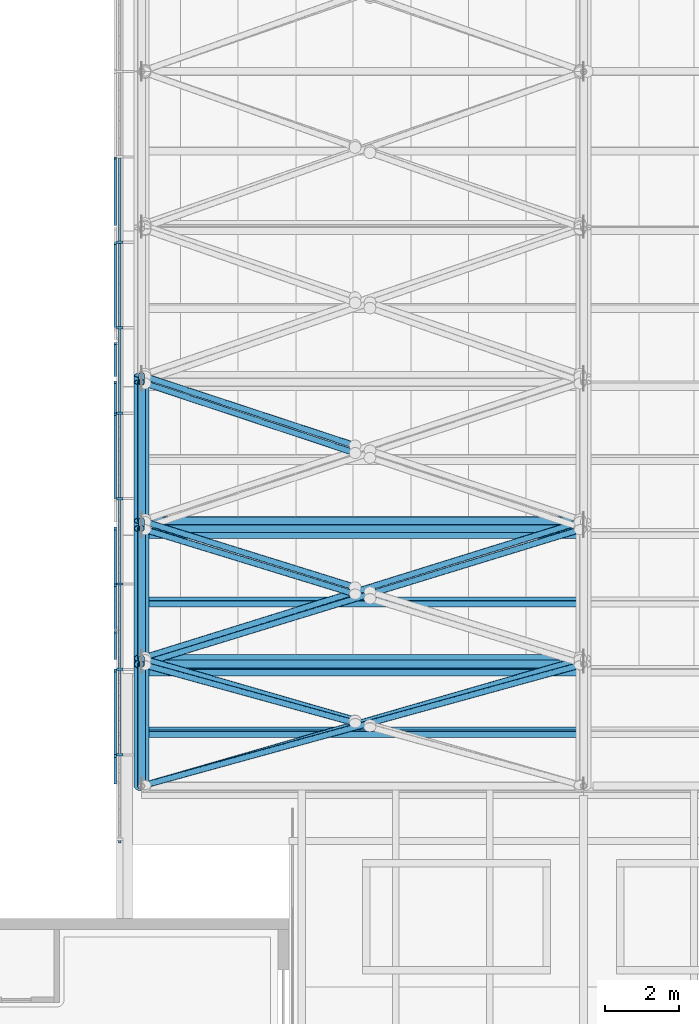
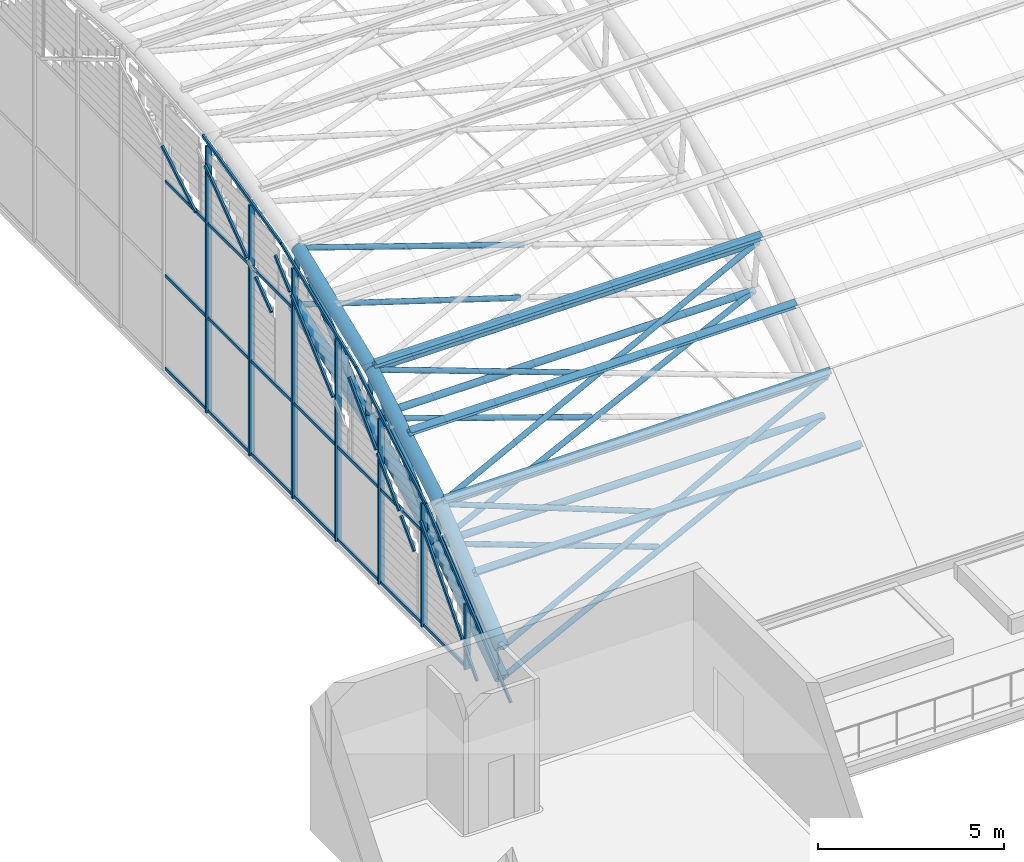
# One storey, part 2 of 110: 67 members, 1 element without a shape of its own.
"""IFC4 building model written with IfcOpenShell, lengths in metres."""

from ifc_helpers import new_model, si_unit, direction, frame, origin, origin_2d, place, context, subcontext, project, spatial, rectangle, hollow_circle, i_section, extrude, material, layer, layer_set, material_profile, profile_set, type_object, element, aggregate, save


model = new_model("IFC4")

# Units and contexts
model_context = context("Model", 3, precision=1e-05, world=origin(), true_north=direction((0.0, 1.0)))
body_context = subcontext(model_context, "Body", "Model", "MODEL_VIEW")
ifc_project = project(units=[si_unit("LENGTHUNIT", "METRE"), si_unit("AREAUNIT", "SQUARE_METRE"), si_unit("VOLUMEUNIT", "CUBIC_METRE"), si_unit("PLANEANGLEUNIT", "RADIAN"), si_unit("MASSUNIT", "GRAM", prefix="KILO")], contexts=[model_context])

# Site, building, storey
site_placement = place(None, origin())
site = spatial("IfcSite", under=ifc_project, at=site_placement, CompositionType="ELEMENT")
building_placement = place(site_placement, origin())
building = spatial("IfcBuilding", under=site, at=building_placement, Name="Windward Yard Aquatics Centre", CompositionType="ELEMENT")
storey_placement = place(building_placement, frame((0.0, 0.0, 22.60009765625)))
storey = spatial("IfcBuildingStorey", under=building, at=storey_placement, Name="L05", CompositionType="ELEMENT", Elevation=22.60009765625)

# Curtain wall, members
ifc_material_1 = material(Name="Glass and aluminium curtain wall", Category="aluminium")
ifc_layer = layer(ifc_material_1, 0.179931640625)
ifc_layer_set = layer_set([ifc_layer], Name="H gable glazing system double glazed 8+16+8")
curtain_wall_type = type_object("IfcCurtainWallType", Name="H gable glazing system double glazed 8+16+8", PredefinedType="NOTDEFINED", material=ifc_layer_set)
curtain_wall_placement = place(storey_placement, origin())
curtain_wall = element("IfcCurtainWall", 1, at=curtain_wall_placement, inside=storey, type_object=curtain_wall_type, Name="Gable glazing W", PredefinedType="NOTDEFINED")
ifc_material_2 = material(Name="Aluminium 6063-T6 anodised", Category="aluminium")
ifc_material_profile_1 = material_profile(ifc_material_2, rectangle(XDim=0.06494140625, YDim=0.179931640625, at=origin_2d()), Name="H CW mullion 65x180")
ifc_profile_set_1 = profile_set([ifc_material_profile_1], Name="Aluminium 6063-T6 anodised")
member_type_1 = type_object("IfcMemberType", Name="H CW mullion 65x180", PredefinedType="MULLION", material=ifc_profile_set_1)
member_1_placement = place(storey_placement, frame((59.409912109375, 42.446044921875, 0.0), z_axis=(0.0, 0.0, 1.0), x_axis=(0.0, 1.0, 0.0)))
member_1 = element("IfcMember", 2, at=member_1_placement, type_object=member_type_1, Name="Gable mullion 2", PredefinedType="MULLION", context=body_context, shape_type="SweptSolid", body=[
    extrude(rectangle(XDim=0.06494140625, YDim=0.179931640625, at=origin_2d()), origin(), (0.0, 0.0, 1.0), 2.167724609375),
])
member_2_placement = place(storey_placement, frame((59.409912109375, 44.765380859375, 0.0), z_axis=(0.0, 0.0, 1.0), x_axis=(0.0, 1.0, 0.0)))
member_2 = element("IfcMember", 3, at=member_2_placement, type_object=member_type_1, Name="Gable mullion 3", PredefinedType="MULLION", context=body_context, shape_type="SweptSolid", body=[
    extrude(rectangle(XDim=0.06494140625, YDim=0.179931640625, at=origin_2d()), origin(), (0.0, 0.0, 1.0), 4.061767578125),
])
member_3_placement = place(storey_placement, frame((59.409912109375, 47.08447265625, 0.0), z_axis=(0.0, 0.0, 1.0), x_axis=(0.0, 1.0, 0.0)))
member_3 = element("IfcMember", 4, at=member_3_placement, type_object=member_type_1, Name="Gable mullion 4", PredefinedType="MULLION", context=body_context, shape_type="SweptSolid", body=[
    extrude(rectangle(XDim=0.06494140625, YDim=0.179931640625, at=origin_2d()), origin(), (0.0, 0.0, 1.0), 5.436279296875),
])
member_4_placement = place(storey_placement, frame((59.409912109375, 49.40380859375, 0.0), z_axis=(0.0, 0.0, 1.0), x_axis=(0.0, 1.0, 0.0)))
member_4 = element("IfcMember", 5, at=member_4_placement, type_object=member_type_1, Name="Gable mullion 5", PredefinedType="MULLION", context=body_context, shape_type="SweptSolid", body=[
    extrude(rectangle(XDim=0.06494140625, YDim=0.179931640625, at=origin_2d()), origin(), (0.0, 0.0, 1.0), 6.629150390625),
])
member_5_placement = place(storey_placement, frame((59.409912109375, 51.72314453125, 0.0), z_axis=(0.0, 0.0, 1.0), x_axis=(0.0, 1.0, 0.0)))
member_5 = element("IfcMember", 6, at=member_5_placement, type_object=member_type_1, Name="Gable mullion 6", PredefinedType="MULLION", context=body_context, shape_type="SweptSolid", body=[
    extrude(rectangle(XDim=0.06494140625, YDim=0.179931640625, at=origin_2d()), origin(), (0.0, 0.0, 1.0), 7.561279296875),
])
member_6_placement = place(storey_placement, frame((59.409912109375, 54.042236328125, 0.0), z_axis=(0.0, 0.0, 1.0), x_axis=(0.0, 1.0, 0.0)))
member_6 = element("IfcMember", 7, at=member_6_placement, type_object=member_type_1, Name="Gable mullion 7", PredefinedType="MULLION", context=body_context, shape_type="SweptSolid", body=[
    extrude(rectangle(XDim=0.06494140625, YDim=0.179931640625, at=origin_2d()), origin(), (0.0, 0.0, 1.0), 8.22998046875),
])
member_7_placement = place(storey_placement, frame((59.409912109375, 56.361572265625, 0.0), z_axis=(0.0, 0.0, 1.0), x_axis=(0.0, 1.0, 0.0)))
member_7 = element("IfcMember", 8, at=member_7_placement, type_object=member_type_1, Name="Gable mullion 8", PredefinedType="MULLION", context=body_context, shape_type="SweptSolid", body=[
    extrude(rectangle(XDim=0.06494140625, YDim=0.179931640625, at=origin_2d()), origin(), (0.0, 0.0, 1.0), 8.771240234375),
])
ifc_material_profile_2 = material_profile(ifc_material_2, rectangle(XDim=0.06494140625, YDim=0.10009765625, at=origin_2d()), Name="H CW transom 65x100")
ifc_profile_set_2 = profile_set([ifc_material_profile_2], Name="Aluminium 6063-T6 anodised")
member_type_2 = type_object("IfcMemberType", Name="H CW transom 65x100", PredefinedType="USERDEFINED", material=ifc_profile_set_2)
member_8_placement = place(storey_placement, frame((59.409912109375, 40.088623046875, 0.322998046875), z_axis=(0.0, 0.772760999617, 0.634697122627), x_axis=(-1.0, 0.0, 0.0)))
member_8 = element("IfcMember", 9, at=member_8_placement, type_object=member_type_2, Name="Gable head rail 1", ObjectType="TRANSOM", PredefinedType="USERDEFINED", context=body_context, shape_type="SweptSolid", body=[
    extrude(rectangle(XDim=0.06494140625, YDim=0.10009765625, at=origin_2d()), origin(), (0.0, 0.0, 1.0), 5.907958984375),
])
member_9_placement = place(storey_placement, frame((59.409912109375, 44.660400390625, 4.076904296875), z_axis=(0.0, 0.860254982192, 0.50986406582), x_axis=(-1.0, 0.0, 0.0)))
member_9 = element("IfcMember", 10, at=member_9_placement, type_object=member_type_2, Name="Gable head rail 2", ObjectType="TRANSOM", PredefinedType="USERDEFINED", context=body_context, shape_type="SweptSolid", body=[
    extrude(rectangle(XDim=0.06494140625, YDim=0.10009765625, at=origin_2d()), origin(), (0.0, 0.0, 1.0), 4.340087890625),
])
member_10_placement = place(storey_placement, frame((59.409912109375, 48.40087890625, 6.29296875), z_axis=(0.0, 0.927866338697, 0.372912935566), x_axis=(-1.0, 0.0, 0.0)))
member_10 = element("IfcMember", 11, at=member_10_placement, type_object=member_type_2, Name="Gable head rail 3", ObjectType="TRANSOM", PredefinedType="USERDEFINED", context=body_context, shape_type="SweptSolid", body=[
    extrude(rectangle(XDim=0.06494140625, YDim=0.10009765625, at=origin_2d()), origin(), (0.0, 0.0, 1.0), 4.33984375),
])
member_11_placement = place(storey_placement, frame((59.409912109375, 52.43505859375, 7.913818359375), z_axis=(0.0, 0.973831665081, 0.227270517413), x_axis=(-1.0, 0.0, 0.0)))
member_11 = element("IfcMember", 12, at=member_11_placement, type_object=member_type_2, Name="Gable head rail 4", ObjectType="TRANSOM", PredefinedType="USERDEFINED", context=body_context, shape_type="SweptSolid", body=[
    extrude(rectangle(XDim=0.06494140625, YDim=0.10009765625, at=origin_2d()), origin(), (0.0, 0.0, 1.0), 4.33984375),
])
member_12_placement = place(storey_placement, frame((59.409912109375, 42.478515625, 0.0498046875), z_axis=(0.0, 1.0, 0.0), x_axis=(-1.0, 0.0, 0.0)))
member_12 = element("IfcMember", 13, at=member_12_placement, type_object=member_type_2, Name="Gable transom 2.1", ObjectType="TRANSOM", PredefinedType="USERDEFINED", context=body_context, shape_type="SweptSolid", body=[
    extrude(rectangle(XDim=0.06494140625, YDim=0.10009765625, at=origin_2d()), origin(), (0.0, 0.0, 1.0), 2.25439453125),
])
member_13_placement = place(storey_placement, frame((59.409912109375, 44.7978515625, 0.0498046875), z_axis=(0.0, 1.0, 0.0), x_axis=(-1.0, 0.0, 0.0)))
member_13 = element("IfcMember", 14, at=member_13_placement, type_object=member_type_2, Name="Gable transom 3.1", ObjectType="TRANSOM", PredefinedType="USERDEFINED", context=body_context, shape_type="SweptSolid", body=[
    extrude(rectangle(XDim=0.06494140625, YDim=0.10009765625, at=origin_2d()), origin(), (0.0, 0.0, 1.0), 2.254150390625),
])
member_14_placement = place(storey_placement, frame((59.409912109375, 44.7978515625, 3.099853515625), z_axis=(0.0, 1.0, 0.0), x_axis=(-1.0, 0.0, 0.0)))
member_14 = element("IfcMember", 15, at=member_14_placement, type_object=member_type_2, Name="Gable transom 3.2", ObjectType="TRANSOM", PredefinedType="USERDEFINED", context=body_context, shape_type="SweptSolid", body=[
    extrude(rectangle(XDim=0.06494140625, YDim=0.10009765625, at=origin_2d()), origin(), (0.0, 0.0, 1.0), 2.254150390625),
])
member_15_placement = place(storey_placement, frame((59.409912109375, 47.1171875, 0.0498046875), z_axis=(0.0, 1.0, 0.0), x_axis=(-1.0, 0.0, 0.0)))
member_15 = element("IfcMember", 16, at=member_15_placement, type_object=member_type_2, Name="Gable transom 4.1", ObjectType="TRANSOM", PredefinedType="USERDEFINED", context=body_context, shape_type="SweptSolid", body=[
    extrude(rectangle(XDim=0.06494140625, YDim=0.10009765625, at=origin_2d()), origin(), (0.0, 0.0, 1.0), 2.254150390625),
])
member_16_placement = place(storey_placement, frame((59.409912109375, 47.1171875, 3.099853515625), z_axis=(0.0, 1.0, 0.0), x_axis=(-1.0, 0.0, 0.0)))
member_16 = element("IfcMember", 17, at=member_16_placement, type_object=member_type_2, Name="Gable transom 4.2", ObjectType="TRANSOM", PredefinedType="USERDEFINED", context=body_context, shape_type="SweptSolid", body=[
    extrude(rectangle(XDim=0.06494140625, YDim=0.10009765625, at=origin_2d()), origin(), (0.0, 0.0, 1.0), 2.254150390625),
])
member_17_placement = place(storey_placement, frame((59.409912109375, 49.436279296875, 0.0498046875), z_axis=(0.0, 1.0, 0.0), x_axis=(-1.0, 0.0, 0.0)))
member_17 = element("IfcMember", 18, at=member_17_placement, type_object=member_type_2, Name="Gable transom 5.1", ObjectType="TRANSOM", PredefinedType="USERDEFINED", context=body_context, shape_type="SweptSolid", body=[
    extrude(rectangle(XDim=0.06494140625, YDim=0.10009765625, at=origin_2d()), origin(), (0.0, 0.0, 1.0), 2.25439453125),
])
member_18_placement = place(storey_placement, frame((59.409912109375, 49.436279296875, 3.099853515625), z_axis=(0.0, 1.0, 0.0), x_axis=(-1.0, 0.0, 0.0)))
member_18 = element("IfcMember", 19, at=member_18_placement, type_object=member_type_2, Name="Gable transom 5.2", ObjectType="TRANSOM", PredefinedType="USERDEFINED", context=body_context, shape_type="SweptSolid", body=[
    extrude(rectangle(XDim=0.06494140625, YDim=0.10009765625, at=origin_2d()), origin(), (0.0, 0.0, 1.0), 2.25439453125),
])
member_19_placement = place(storey_placement, frame((59.409912109375, 51.755615234375, 0.0498046875), z_axis=(0.0, 1.0, 0.0), x_axis=(-1.0, 0.0, 0.0)))
member_19 = element("IfcMember", 20, at=member_19_placement, type_object=member_type_2, Name="Gable transom 6.1", ObjectType="TRANSOM", PredefinedType="USERDEFINED", context=body_context, shape_type="SweptSolid", body=[
    extrude(rectangle(XDim=0.06494140625, YDim=0.10009765625, at=origin_2d()), origin(), (0.0, 0.0, 1.0), 2.254150390625),
])
member_20_placement = place(storey_placement, frame((59.409912109375, 51.755615234375, 3.099853515625), z_axis=(0.0, 1.0, 0.0), x_axis=(-1.0, 0.0, 0.0)))
member_20 = element("IfcMember", 21, at=member_20_placement, type_object=member_type_2, Name="Gable transom 6.2", ObjectType="TRANSOM", PredefinedType="USERDEFINED", context=body_context, shape_type="SweptSolid", body=[
    extrude(rectangle(XDim=0.06494140625, YDim=0.10009765625, at=origin_2d()), origin(), (0.0, 0.0, 1.0), 2.254150390625),
])
member_21_placement = place(storey_placement, frame((59.409912109375, 51.755615234375, 6.199951171875), z_axis=(0.0, 1.0, 0.0), x_axis=(-1.0, 0.0, 0.0)))
member_21 = element("IfcMember", 22, at=member_21_placement, type_object=member_type_2, Name="Gable transom 6.3", ObjectType="TRANSOM", PredefinedType="USERDEFINED", context=body_context, shape_type="SweptSolid", body=[
    extrude(rectangle(XDim=0.06494140625, YDim=0.10009765625, at=origin_2d()), origin(), (0.0, 0.0, 1.0), 2.254150390625),
])
member_22_placement = place(storey_placement, frame((59.409912109375, 54.07470703125, 0.0498046875), z_axis=(0.0, 1.0, 0.0), x_axis=(-1.0, 0.0, 0.0)))
member_22 = element("IfcMember", 23, at=member_22_placement, type_object=member_type_2, Name="Gable transom 7.1", ObjectType="TRANSOM", PredefinedType="USERDEFINED", context=body_context, shape_type="SweptSolid", body=[
    extrude(rectangle(XDim=0.06494140625, YDim=0.10009765625, at=origin_2d()), origin(), (0.0, 0.0, 1.0), 2.25439453125),
])
member_23_placement = place(storey_placement, frame((59.409912109375, 54.07470703125, 3.099853515625), z_axis=(0.0, 1.0, 0.0), x_axis=(-1.0, 0.0, 0.0)))
member_23 = element("IfcMember", 24, at=member_23_placement, type_object=member_type_2, Name="Gable transom 7.2", ObjectType="TRANSOM", PredefinedType="USERDEFINED", context=body_context, shape_type="SweptSolid", body=[
    extrude(rectangle(XDim=0.06494140625, YDim=0.10009765625, at=origin_2d()), origin(), (0.0, 0.0, 1.0), 2.25439453125),
])
member_24_placement = place(storey_placement, frame((59.409912109375, 54.07470703125, 6.199951171875), z_axis=(0.0, 1.0, 0.0), x_axis=(-1.0, 0.0, 0.0)))
member_24 = element("IfcMember", 25, at=member_24_placement, type_object=member_type_2, Name="Gable transom 7.3", ObjectType="TRANSOM", PredefinedType="USERDEFINED", context=body_context, shape_type="SweptSolid", body=[
    extrude(rectangle(XDim=0.06494140625, YDim=0.10009765625, at=origin_2d()), origin(), (0.0, 0.0, 1.0), 2.25439453125),
])
member_25_placement = place(storey_placement, frame((59.409912109375, 56.39404296875, 0.0498046875), z_axis=(0.0, 1.0, 0.0), x_axis=(-1.0, 0.0, 0.0)))
member_25 = element("IfcMember", 26, at=member_25_placement, type_object=member_type_2, Name="Gable transom 8.1", ObjectType="TRANSOM", PredefinedType="USERDEFINED", context=body_context, shape_type="SweptSolid", body=[
    extrude(rectangle(XDim=0.06494140625, YDim=0.10009765625, at=origin_2d()), origin(), (0.0, 0.0, 1.0), 2.254150390625),
])
member_26_placement = place(storey_placement, frame((59.409912109375, 56.39404296875, 3.099853515625), z_axis=(0.0, 1.0, 0.0), x_axis=(-1.0, 0.0, 0.0)))
member_26 = element("IfcMember", 27, at=member_26_placement, type_object=member_type_2, Name="Gable transom 8.2", ObjectType="TRANSOM", PredefinedType="USERDEFINED", context=body_context, shape_type="SweptSolid", body=[
    extrude(rectangle(XDim=0.06494140625, YDim=0.10009765625, at=origin_2d()), origin(), (0.0, 0.0, 1.0), 2.254150390625),
])
member_27_placement = place(storey_placement, frame((59.409912109375, 56.39404296875, 6.199951171875), z_axis=(0.0, 1.0, 0.0), x_axis=(-1.0, 0.0, 0.0)))
member_27 = element("IfcMember", 28, at=member_27_placement, type_object=member_type_2, Name="Gable transom 8.3", ObjectType="TRANSOM", PredefinedType="USERDEFINED", context=body_context, shape_type="SweptSolid", body=[
    extrude(rectangle(XDim=0.06494140625, YDim=0.10009765625, at=origin_2d()), origin(), (0.0, 0.0, 1.0), 2.254150390625),
])
member_28_placement = place(storey_placement, frame((59.28759765625, 41.68896484375, 0.099853515625), z_axis=(0.0, 0.664586182346, 0.747211620784), x_axis=(-1.0, 0.0, 0.0)))
member_28 = element("IfcMember", 29, at=member_28_placement, type_object=member_type_2, Name="Gable cover strip 1.1", ObjectType="COVER STRIP", PredefinedType="USERDEFINED", context=body_context, shape_type="SweptSolid", body=[
    extrude(rectangle(XDim=0.06494140625, YDim=0.10009765625, at=origin_2d()), origin(), (0.0, 0.0, 1.0), 1.09033203125),
])
member_29_placement = place(storey_placement, frame((59.28759765625, 42.478515625, 0.987548828125), z_axis=(0.0, 0.664694400873, 0.747115354847), x_axis=(-1.0, 0.0, 0.0)))
member_29 = element("IfcMember", 30, at=member_29_placement, type_object=member_type_2, Name="Gable cover strip 1.2", ObjectType="COVER STRIP", PredefinedType="USERDEFINED", context=body_context, shape_type="SweptSolid", body=[
    extrude(rectangle(XDim=0.06494140625, YDim=0.10009765625, at=origin_2d()), origin(), (0.0, 0.0, 1.0), 3.3916015625),
])
member_30_placement = place(storey_placement, frame((59.28759765625, 45.064697265625, 2.319580078125), z_axis=(0.0, 0.701606113991, 0.712564987079), x_axis=(-1.0, 0.0, 0.0)))
member_30 = element("IfcMember", 31, at=member_30_placement, type_object=member_type_2, Name="Gable cover strip 2.1", ObjectType="COVER STRIP", PredefinedType="USERDEFINED", context=body_context, shape_type="SweptSolid", body=[
    extrude(rectangle(XDim=0.06494140625, YDim=0.10009765625, at=origin_2d()), origin(), (0.0, 0.0, 1.0), 1.02490234375),
])
member_31_placement = place(storey_placement, frame((59.28759765625, 45.882080078125, 3.14990234375), z_axis=(0.0, 0.701595103433, 0.712575828132), x_axis=(-1.0, 0.0, 0.0)))
member_31 = element("IfcMember", 32, at=member_31_placement, type_object=member_type_2, Name="Gable cover strip 2.2", ObjectType="COVER STRIP", PredefinedType="USERDEFINED", context=body_context, shape_type="SweptSolid", body=[
    extrude(rectangle(XDim=0.06494140625, YDim=0.10009765625, at=origin_2d()), origin(), (0.0, 0.0, 1.0), 1.66748046875),
])
member_32_placement = place(storey_placement, frame((59.28759765625, 47.1171875, 4.404052734375), z_axis=(0.0, 0.701562472917, 0.712607954344), x_axis=(-1.0, 0.0, 0.0)))
member_32 = element("IfcMember", 33, at=member_32_placement, type_object=member_type_2, Name="Gable cover strip 2.3", ObjectType="COVER STRIP", PredefinedType="USERDEFINED", context=body_context, shape_type="SweptSolid", body=[
    extrude(rectangle(XDim=0.06494140625, YDim=0.10009765625, at=origin_2d()), origin(), (0.0, 0.0, 1.0), 2.099853515625),
])
member_33_placement = place(storey_placement, frame((59.28759765625, 49.436279296875, 4.727783203125), z_axis=(0.0, 0.748615772078, 0.66300409184), x_axis=(-1.0, 0.0, 0.0)))
member_33 = element("IfcMember", 34, at=member_33_placement, type_object=member_type_2, Name="Gable cover strip 3.2", ObjectType="COVER STRIP", PredefinedType="USERDEFINED", context=body_context, shape_type="SweptSolid", body=[
    extrude(rectangle(XDim=0.06494140625, YDim=0.10009765625, at=origin_2d()), origin(), (0.0, 0.0, 1.0), 3.011474609375),
])
member_34_placement = place(storey_placement, frame((59.28759765625, 51.755615234375, 6.781982421875), z_axis=(0.0, 0.748507881911, 0.663125893566), x_axis=(-1.0, 0.0, 0.0)))
member_34 = element("IfcMember", 35, at=member_34_placement, type_object=member_type_2, Name="Gable cover strip 3.3", ObjectType="COVER STRIP", PredefinedType="USERDEFINED", context=body_context, shape_type="SweptSolid", body=[
    extrude(rectangle(XDim=0.06494140625, YDim=0.10009765625, at=origin_2d()), origin(), (0.0, 0.0, 1.0), 1.077880859375),
])
member_35_placement = place(storey_placement, frame((59.28759765625, 52.750244140625, 5.5087890625), z_axis=(0.0, 0.802420487219, 0.596759048269), x_axis=(-1.0, 0.0, 0.0)))
member_35 = element("IfcMember", 36, at=member_35_placement, type_object=member_type_2, Name="Gable cover strip 4.1", ObjectType="COVER STRIP", PredefinedType="USERDEFINED", context=body_context, shape_type="SweptSolid", body=[
    extrude(rectangle(XDim=0.06494140625, YDim=0.10009765625, at=origin_2d()), origin(), (0.0, 0.0, 1.0), 1.07421875),
])
member_36_placement = place(storey_placement, frame((59.28759765625, 54.07470703125, 6.493896484375), z_axis=(0.0, 0.80243353281, 0.596741506368), x_axis=(-1.0, 0.0, 0.0)))
member_36 = element("IfcMember", 37, at=member_36_placement, type_object=member_type_2, Name="Gable cover strip 4.3", ObjectType="COVER STRIP", PredefinedType="USERDEFINED", context=body_context, shape_type="SweptSolid", body=[
    extrude(rectangle(XDim=0.06494140625, YDim=0.10009765625, at=origin_2d()), origin(), (0.0, 0.0, 1.0), 2.809326171875),
])
member_37_placement = place(storey_placement, frame((59.28759765625, 56.83935546875, 6.323486328125), z_axis=(0.0, 0.859604754402, 0.510959554378), x_axis=(-1.0, 0.0, 0.0)))
member_37 = element("IfcMember", 38, at=member_37_placement, type_object=member_type_2, Name="Gable cover strip 5.1", ObjectType="COVER STRIP", PredefinedType="USERDEFINED", context=body_context, shape_type="SweptSolid", body=[
    extrude(rectangle(XDim=0.06494140625, YDim=0.10009765625, at=origin_2d()), origin(), (0.0, 0.0, 1.0), 2.104248046875),
])
aggregate(curtain_wall, [member_1, member_2, member_3, member_4, member_5, member_6, member_7, member_8, member_9, member_10, member_11, member_12, member_13, member_14, member_15, member_16, member_17, member_18, member_19, member_20, member_21, member_22, member_23, member_24, member_25, member_26, member_27, member_28, member_29, member_30, member_31, member_32, member_33, member_34, member_35, member_36, member_37])

# Members
ifc_material_3 = material(Name="Steel ASTM A500 Gr C", Category="steel")
ifc_material_profile_3 = material_profile(ifc_material_3, hollow_circle(Radius=0.084228515625, WallThickness=0.010986328125, at=origin_2d()), Name="HSS168.3X11")
ifc_profile_set_3 = profile_set([ifc_material_profile_3], Name="Steel ASTM A500 Gr C")
member_type_3 = type_object("IfcMemberType", Name="H arch post HSS168.3X11", PredefinedType="POST", material=ifc_profile_set_3)
member_38_placement = place(storey_placement, frame((60.0, 45.064697265625, 2.319580078125), z_axis=(0.0, -0.111745510026, 0.993736857015), x_axis=(1.0, 0.0, 0.0)))
element("IfcMember", 39, at=member_38_placement, inside=storey, type_object=member_type_3, Name="H.AT.1.WP02", PredefinedType="POST", context=body_context, shape_type="SweptSolid", body=[
    extrude(hollow_circle(Radius=0.084228515625, WallThickness=0.010986328125, at=origin_2d()), origin(), (0.0, 0.0, 1.0), 1.406982421875),
])
member_39_placement = place(storey_placement, frame((60.0, 48.802734375, 4.16650390625), z_axis=(0.0, -0.121591772527, 0.992580193664), x_axis=(1.0, 0.0, 0.0)))
element("IfcMember", 40, at=member_39_placement, inside=storey, type_object=member_type_3, Name="H.AT.1.WP03", PredefinedType="POST", context=body_context, shape_type="SweptSolid", body=[
    extrude(hollow_circle(Radius=0.084228515625, WallThickness=0.010986328125, at=origin_2d()), origin(), (0.0, 0.0, 1.0), 1.746826171875),
])
member_40_placement = place(storey_placement, frame((60.0, 52.750244140625, 5.5087890625), z_axis=(0.0, -0.094018625473, 0.995570438525), x_axis=(1.0, 0.0, 0.0)))
element("IfcMember", 41, at=member_40_placement, inside=storey, type_object=member_type_3, Name="H.AT.1.WP04", PredefinedType="POST", context=body_context, shape_type="SweptSolid", body=[
    extrude(hollow_circle(Radius=0.084228515625, WallThickness=0.010986328125, at=origin_2d()), origin(), (0.0, 0.0, 1.0), 1.996826171875),
])
ifc_material_profile_4 = material_profile(ifc_material_3, hollow_circle(Radius=0.203125, WallThickness=0.015869140625, at=origin_2d()), Name="HSS406.4X15.9")
ifc_profile_set_4 = profile_set([ifc_material_profile_4], Name="Steel ASTM A500 Gr C")
member_type_4 = type_object("IfcMemberType", Name="H arch top chord HSS406.4X15.9", PredefinedType="CHORD", material=ifc_profile_set_4)
member_41_placement = place(storey_placement, frame((60.0, 41.60009765625, 1.0), z_axis=(0.0, 0.772611352747, 0.634879277979), x_axis=(-1.0, 0.0, 0.0)))
element("IfcMember", 42, at=member_41_placement, inside=storey, type_object=member_type_4, Name="H.AT.1.TC01", PredefinedType="CHORD", context=body_context, shape_type="SweptSolid", body=[
    extrude(hollow_circle(Radius=0.203125, WallThickness=0.015869140625, at=origin_2d()), origin(), (0.0, 0.0, 1.0), 4.28076171875),
])
member_42_placement = place(storey_placement, frame((60.0, 41.60009765625, 0.0), z_axis=(0.0, 0.83095865789, 0.556334170151), x_axis=(-1.0, 0.0, 0.0)))
element("IfcMember", 43, at=member_42_placement, inside=storey, type_object=member_type_4, Name="H.AT.1.BC01", PredefinedType="CHORD", context=body_context, shape_type="SweptSolid", body=[
    extrude(hollow_circle(Radius=0.203125, WallThickness=0.015869140625, at=origin_2d()), origin(), (0.0, 0.0, 1.0), 4.16943359375),
])
member_43_placement = place(storey_placement, frame((60.0, 44.907470703125, 3.7177734375), z_axis=(0.0, 0.860273006082, 0.509833654251), x_axis=(-1.0, 0.0, 0.0)))
element("IfcMember", 44, at=member_43_placement, inside=storey, type_object=member_type_4, Name="H.AT.1.TC02", PredefinedType="CHORD", context=body_context, shape_type="SweptSolid", body=[
    extrude(hollow_circle(Radius=0.203125, WallThickness=0.015869140625, at=origin_2d()), origin(), (0.0, 0.0, 1.0), 4.281005859375),
])
member_44_placement = place(storey_placement, frame((60.0, 45.064697265625, 2.319580078125), z_axis=(0.0, 0.896536837976, 0.4429691842), x_axis=(-1.0, 0.0, 0.0)))
element("IfcMember", 45, at=member_44_placement, inside=storey, type_object=member_type_4, Name="H.AT.1.BC02", PredefinedType="CHORD", context=body_context, shape_type="SweptSolid", body=[
    extrude(hollow_circle(Radius=0.203125, WallThickness=0.015869140625, at=origin_2d()), origin(), (0.0, 0.0, 1.0), 4.16943359375),
])
member_45_placement = place(storey_placement, frame((60.0, 48.59033203125, 5.900390625), z_axis=(0.0, 0.92786581708, 0.372914233429), x_axis=(-1.0, 0.0, 0.0)))
element("IfcMember", 46, at=member_45_placement, inside=storey, type_object=member_type_4, Name="H.AT.1.TC03", PredefinedType="CHORD", context=body_context, shape_type="SweptSolid", body=[
    extrude(hollow_circle(Radius=0.203125, WallThickness=0.015869140625, at=origin_2d()), origin(), (0.0, 0.0, 1.0), 4.281005859375),
])
member_46_placement = place(storey_placement, frame((60.0, 48.802734375, 4.16650390625), z_axis=(0.0, 0.946763107829, 0.321931075938), x_axis=(-1.0, 0.0, 0.0)))
element("IfcMember", 47, at=member_46_placement, inside=storey, type_object=member_type_4, Name="H.AT.1.BC03", PredefinedType="CHORD", context=body_context, shape_type="SweptSolid", body=[
    extrude(hollow_circle(Radius=0.203125, WallThickness=0.015869140625, at=origin_2d()), origin(), (0.0, 0.0, 1.0), 4.16943359375),
])
ifc_material_profile_5 = material_profile(ifc_material_3, hollow_circle(Radius=0.109619140625, WallThickness=0.00830078125, at=origin_2d()), Name="HSS219.1X8.2")
ifc_profile_set_5 = profile_set([ifc_material_profile_5], Name="Steel ASTM A500 Gr C")
member_type_5 = type_object("IfcMemberType", Name="H arch web diagonal HSS219.1X8.2", PredefinedType="BRACE", material=ifc_profile_set_5)
member_47_placement = place(storey_placement, frame((60.0, 41.60009765625, 0.0), z_axis=(0.0, 0.664665272452, 0.747141268835), x_axis=(-1.0, 0.0, 0.0)))
element("IfcMember", 48, at=member_47_placement, inside=storey, type_object=member_type_5, Name="H.AT.1.WD01", PredefinedType="BRACE", context=body_context, shape_type="SweptSolid", body=[
    extrude(hollow_circle(Radius=0.109619140625, WallThickness=0.00830078125, at=origin_2d()), origin(), (0.0, 0.0, 1.0), 4.97607421875),
])
member_48_placement = place(storey_placement, frame((60.0, 45.064697265625, 2.319580078125), z_axis=(0.0, 0.701595524129, 0.712575413919), x_axis=(-1.0, 0.0, 0.0)))
element("IfcMember", 49, at=member_48_placement, inside=storey, type_object=member_type_5, Name="H.AT.1.WD02", PredefinedType="BRACE", context=body_context, shape_type="SweptSolid", body=[
    extrude(hollow_circle(Radius=0.109619140625, WallThickness=0.00830078125, at=origin_2d()), origin(), (0.0, 0.0, 1.0), 5.025146484375),
])
member_49_placement = place(storey_placement, frame((60.0, 48.802734375, 4.16650390625), z_axis=(0.0, 0.748564053538, 0.663062484047), x_axis=(-1.0, 0.0, 0.0)))
element("IfcMember", 50, at=member_49_placement, inside=storey, type_object=member_type_5, Name="H.AT.1.WD03", PredefinedType="BRACE", context=body_context, shape_type="SweptSolid", body=[
    extrude(hollow_circle(Radius=0.109619140625, WallThickness=0.00830078125, at=origin_2d()), origin(), (0.0, 0.0, 1.0), 5.022705078125),
])
ifc_material_profile_6 = material_profile(ifc_material_3, hollow_circle(Radius=0.084228515625, WallThickness=0.007080078125, at=origin_2d()), Name="HSS168.3X7.1")
ifc_profile_set_6 = profile_set([ifc_material_profile_6], Name="Steel ASTM A500 Gr C")
member_type_6 = type_object("IfcMemberType", Name="H roof brace HSS168.3X7.1", PredefinedType="BRACE", material=ifc_profile_set_6)
member_50_placement = place(storey_placement, frame((60.0, 41.60009765625, 1.0), z_axis=(0.941864717314, 0.259591498321, 0.21331457587), x_axis=(-0.265707128431, 0.964053796165, 0.0)))
element("IfcMember", 51, at=member_50_placement, inside=storey, type_object=member_type_6, Name="H.RB.1.T01A", PredefinedType="BRACE", context=body_context, shape_type="SweptSolid", body=[
    extrude(hollow_circle(Radius=0.084228515625, WallThickness=0.007080078125, at=origin_2d()), origin(), (0.0, 0.0, 1.0), 12.74072265625),
])
member_51_placement = place(storey_placement, frame((60.0, 44.907470703125, 3.7177734375), z_axis=(0.941869878375, -0.259579962752, -0.213305825397), x_axis=(0.265694801521, 0.964057193555, 0.0)))
element("IfcMember", 52, at=member_51_placement, inside=storey, type_object=member_type_6, Name="H.RB.1.T01B1", PredefinedType="BRACE", context=body_context, shape_type="SweptSolid", body=[
    extrude(hollow_circle(Radius=0.084228515625, WallThickness=0.007080078125, at=origin_2d()), origin(), (0.0, 0.0, 1.0), 6.25732421875),
])
member_52_placement = place(storey_placement, frame((60.0, 44.907470703125, 3.7177734375), z_axis=(0.941858113102, 0.289061068444, 0.171309642154), x_axis=(-0.293398305701, 0.955990289811, 0.0)))
element("IfcMember", 53, at=member_52_placement, inside=storey, type_object=member_type_6, Name="H.RB.1.T02A", PredefinedType="BRACE", context=body_context, shape_type="SweptSolid", body=[
    extrude(hollow_circle(Radius=0.084228515625, WallThickness=0.007080078125, at=origin_2d()), origin(), (0.0, 0.0, 1.0), 12.74072265625),
])
for number, where, z_axis, x_axis, name in (
    (54, (60.0, 48.59033203125, 5.900390625), (0.941852913736, -0.28907159229, -0.171320469934), (0.293409548172, 0.955986839366, 0.0), "H.RB.1.T02B1"),
    (55, (60.0, 52.5625, 7.496826171875), (0.941858333374, -0.311780859237, -0.125281984609), (0.314256834084, 0.9493380021, 0.0), "H.RB.1.T03B1"),
):
    element("IfcMember", number, at=place(storey_placement, frame(where, z_axis=z_axis, x_axis=x_axis)), inside=storey, type_object=member_type_6, Name=name, PredefinedType="BRACE", context=body_context, shape_type="SweptSolid", body=[
        extrude(hollow_circle(Radius=0.084228515625, WallThickness=0.007080078125, at=origin_2d()), origin(), (0.0, 0.0, 1.0), 6.25732421875),
    ])
member_53_placement = place(storey_placement, frame((60.0, 41.60009765625, 0.0), z_axis=(0.944606957166, 0.272723741234, 0.182590956625), x_axis=(-0.277386901916, 0.960758297724, 0.0)))
element("IfcMember", 56, at=member_53_placement, inside=storey, type_object=member_type_6, Name="H.RB.1.B01A", PredefinedType="BRACE", context=body_context, shape_type="SweptSolid", body=[
    extrude(hollow_circle(Radius=0.084228515625, WallThickness=0.007080078125, at=origin_2d()), origin(), (0.0, 0.0, 1.0), 12.70361328125),
])
member_54_placement = place(storey_placement, frame((60.0, 45.064697265625, 2.319580078125), z_axis=(0.944597774459, -0.272754173353, -0.182593004811), x_axis=(0.277417961706, 0.960749329702, 0.0)))
element("IfcMember", 57, at=member_54_placement, inside=storey, type_object=member_type_6, Name="H.RB.1.B01B1", PredefinedType="BRACE", context=body_context, shape_type="SweptSolid", body=[
    extrude(hollow_circle(Radius=0.084228515625, WallThickness=0.007080078125, at=origin_2d()), origin(), (0.0, 0.0, 1.0), 6.236083984375),
])
member_55_placement = place(storey_placement, frame((60.0, 45.064697265625, 2.319580078125), z_axis=(0.944606527351, 0.294247854416, 0.145384691964), x_axis=(-0.297407751548, 0.95475055869, 0.0)))
element("IfcMember", 58, at=member_55_placement, inside=storey, type_object=member_type_6, Name="H.RB.1.B02A", PredefinedType="BRACE", context=body_context, shape_type="SweptSolid", body=[
    extrude(hollow_circle(Radius=0.084228515625, WallThickness=0.007080078125, at=origin_2d()), origin(), (0.0, 0.0, 1.0), 12.70361328125),
])
for number, where, z_axis, x_axis, name in (
    (59, (60.0, 48.802734375, 4.16650390625), (0.944608893491, -0.29425068151, -0.145363595057), (0.297409677169, 0.954749958851, 0.0), "H.RB.1.B02B1"),
    (60, (60.0, 52.750244140625, 5.5087890625), (0.944606037687, -0.310731851837, -0.105665272535), (0.312481198168, 0.94992394474, 0.0), "H.RB.1.B03B1"),
):
    element("IfcMember", number, at=place(storey_placement, frame(where, z_axis=z_axis, x_axis=x_axis)), inside=storey, type_object=member_type_6, Name=name, PredefinedType="BRACE", context=body_context, shape_type="SweptSolid", body=[
        extrude(hollow_circle(Radius=0.084228515625, WallThickness=0.007080078125, at=origin_2d()), origin(), (0.0, 0.0, 1.0), 6.236083984375),
    ])
ifc_material_4 = material(Name="Steel ASTM A992 Gr 50", Category="steel")
ifc_material_profile_7 = material_profile(ifc_material_4, i_section(OverallWidth=0.202880859375, OverallDepth=0.202880859375, WebThickness=0.00732421875, FlangeThickness=0.010986328125, at=origin_2d()), Name="W200X46.1")
ifc_profile_set_7 = profile_set([ifc_material_profile_7], Name="Steel ASTM A992 Gr 50")
member_type_7 = type_object("IfcMemberType", Name="H roof purlin W200X46.1", PredefinedType="PURLIN", material=ifc_profile_set_7)
for number, where, z_axis, x_axis, name in (
    (61, (60.0, 43.060302734375, 2.59423828125), (1.0, 0.0, 0.0), (0.0, 0.772610863417, 0.634879873464), "H.PU.1.02"),
    (62, (60.0, 44.732666015625, 3.96728515625), (1.0, 0.0, 0.0), (0.0, 0.818830898872, 0.574034806481), "H.PU.1.03"),
    (63, (60.0, 46.593505859375, 5.0712890625), (1.0, 0.0, 0.0), (0.0, 0.860270260664, 0.509838286732), "H.PU.1.04"),
    (64, (60.0, 48.45556640625, 6.173583984375), (1.0, 0.0, 0.0), (0.0, 0.896687008655, 0.44266512005), "H.PU.1.05"),
):
    element("IfcMember", number, at=place(storey_placement, frame(where, z_axis=z_axis, x_axis=x_axis)), inside=storey, type_object=member_type_7, Name=name, PredefinedType="PURLIN", context=body_context, shape_type="SweptSolid", body=[
        extrude(i_section(OverallWidth=0.202880859375, OverallDepth=0.202880859375, WebThickness=0.00732421875, FlangeThickness=0.010986328125, at=origin_2d()), origin(), (0.0, 0.0, 1.0), 12.0),
    ])
ifc_material_profile_8 = material_profile(ifc_material_3, hollow_circle(Radius=0.109619140625, WallThickness=0.00830078125, at=origin_2d()), Name="HSS219.1X8.2")
ifc_profile_set_8 = profile_set([ifc_material_profile_8], Name="Steel ASTM A500 Gr C")
member_type_8 = type_object("IfcMemberType", Name="H roof strut HSS219.1X8.2", PredefinedType="STRUT", material=ifc_profile_set_8)
for number, where, z_axis, x_axis, name in (
    (65, (60.0, 44.907470703125, 3.7177734375), (1.0, 0.0, 0.0), (0.0, 1.0, 0.0), "H.RS.1.T02"),
    (66, (60.0, 48.59033203125, 5.900390625), (1.0, 0.0, 0.0), (0.0, 1.0, 0.0), "H.RS.1.T03"),
    (67, (60.0, 45.064697265625, 2.319580078125), (1.0, 0.0, 0.0), (0.0, 1.0, 0.0), "H.RS.1.B02"),
    (68, (60.0, 48.802734375, 4.16650390625), (1.0, 0.0, 0.0), (0.0, 1.0, 0.0), "H.RS.1.B03"),
):
    element("IfcMember", number, at=place(storey_placement, frame(where, z_axis=z_axis, x_axis=x_axis)), inside=storey, type_object=member_type_8, Name=name, PredefinedType="STRUT", context=body_context, shape_type="SweptSolid", body=[
        extrude(hollow_circle(Radius=0.109619140625, WallThickness=0.00830078125, at=origin_2d()), origin(), (0.0, 0.0, 1.0), 12.0),
    ])

save(model, "model.ifc")
